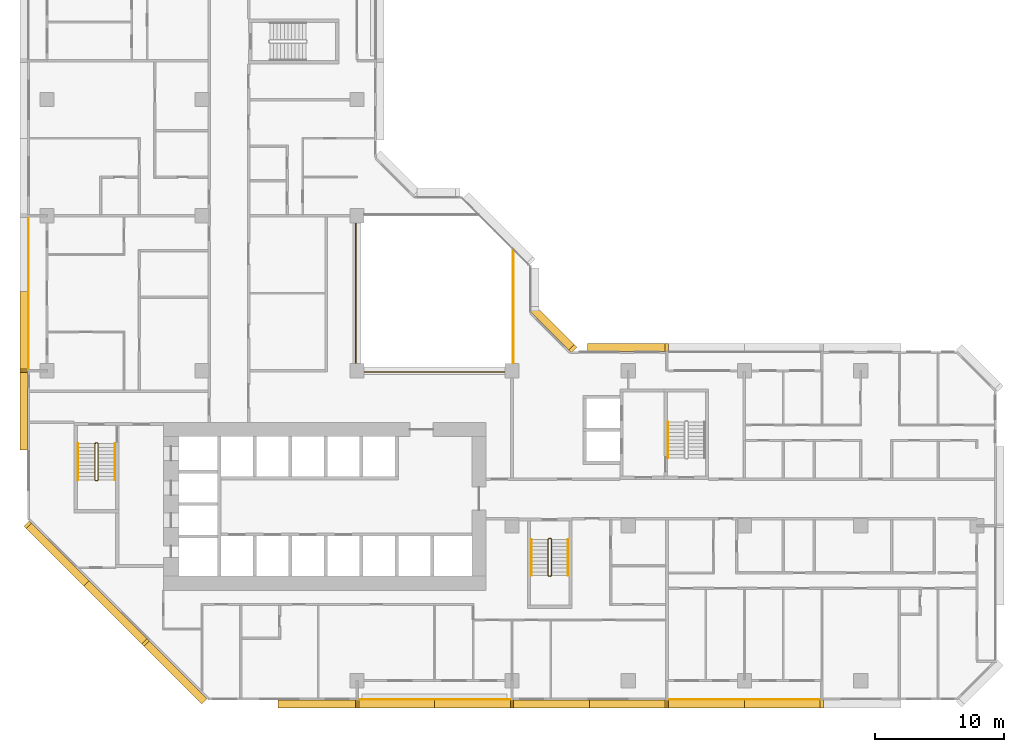
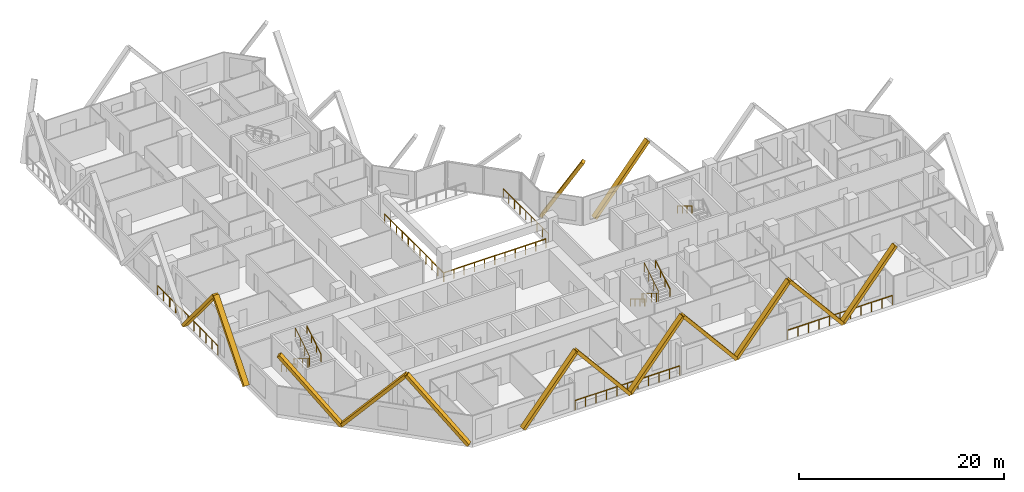
# One storey, part 15 of 16: 14 coverings, 12 railings.
"""IFC4 building model written with IfcOpenShell, lengths in metres."""

import ifcopenshell
import ifcopenshell.guid

model = None  # the IFC model being written
_history = None  # IfcOwnerHistory: only IFC2X3 demands one
_inside = {}  # id of a spatial element -> (the spatial element, [elements in it])
_under = {}  # id of a project, library or spatial element -> (it, [spatial elements below it])
_declared = {}  # id of a project -> (the project, [libraries it declares])
_typed = {}  # id of a type object -> (the type object, [elements of that type])
_made_of = {}  # id of a material, layer set ... -> (it, [elements and type objects made of it])


def new_model(schema):
    """Start an empty IFC model of exactly this schema.

    Asked for "IFC4X3", IfcOpenShell would pick the latest addendum, in which some entities
    have other attributes; the version numbers below select the first issue.
    IFC2X3 requires an IfcOwnerHistory on every rooted entity: one is made here for all.
    """
    global model, _history
    if schema == "IFC4X3":
        model = ifcopenshell.file(schema_version=(4, 3, 0, 0))
    else:
        model = ifcopenshell.file(schema=schema)
    _inside.clear()
    _under.clear()
    _declared.clear()
    _typed.clear()
    _made_of.clear()
    _history = None
    if model.schema == "IFC2X3":
        org = make("IfcOrganization", Name="unknown")
        user = make(
            "IfcPersonAndOrganization",
            ThePerson=make("IfcPerson", FamilyName="unknown"),
            TheOrganization=org,
        )
        app = make(
            "IfcApplication",
            ApplicationDeveloper=org,
            Version="unknown",
            ApplicationFullName="unknown",
            ApplicationIdentifier="unknown",
        )
        _history = make(
            "IfcOwnerHistory",
            OwningUser=user,
            OwningApplication=app,
            ChangeAction="ADDED",
            CreationDate=0,
        )
    return model


def make(cls, **values):
    """One entity of the class cls with the attributes given. An attribute that is None is left unset."""
    return model.create_entity(
        cls, **{name: value for name, value in values.items() if value is not None}
    )


def rooted(cls, **values):
    """An entity with a GlobalId (a new one), such as an element, a storey or a relation."""
    return make(cls, GlobalId=ifcopenshell.guid.new(), OwnerHistory=_history, **values)


def si_unit(unit_type, name, prefix=None):
    """IfcSIUnit, for example si_unit("LENGTHUNIT", "METRE", prefix="MILLI")."""
    return make("IfcSIUnit", UnitType=unit_type, Prefix=prefix, Name=name)


def assignment(units):
    """IfcUnitAssignment: the units of a project."""
    return None if units is None else make("IfcUnitAssignment", Units=units)


def point(xyz):
    """IfcCartesianPoint."""
    return None if xyz is None else make("IfcCartesianPoint", Coordinates=xyz)


def direction(xyz):
    """IfcDirection."""
    return None if xyz is None else make("IfcDirection", DirectionRatios=xyz)


def frame(location, z_axis=None, x_axis=None):
    """IfcAxis2Placement3D, a coordinate frame: its origin and axes. An axis left out is left unset."""
    return make(
        "IfcAxis2Placement3D",
        Location=point(location),
        Axis=direction(z_axis),
        RefDirection=direction(x_axis),
    )


def frame_2d(location, x_axis=None):
    """IfcAxis2Placement2D, a coordinate frame in the plane: its origin and x axis."""
    return make(
        "IfcAxis2Placement2D", Location=point(location), RefDirection=direction(x_axis)
    )


def origin():
    """The frame at (0, 0, 0) with its axes left unset."""
    return frame((0.0, 0.0, 0.0))


def origin_2d():
    """The frame at (0, 0) in the plane with its x axis left unset."""
    return frame_2d((0.0, 0.0))


def place(relative_to, where):
    """IfcLocalPlacement: puts the frame where relative to a parent placement (None: the world)."""
    return make(
        "IfcLocalPlacement", PlacementRelTo=relative_to, RelativePlacement=where
    )


def context(
    kind, dimensions, precision=None, world=None, true_north=None, identifier=None
):
    """IfcGeometricRepresentationContext, for example the 3D "Model" context."""
    return make(
        "IfcGeometricRepresentationContext",
        ContextIdentifier=identifier,
        ContextType=kind,
        CoordinateSpaceDimension=dimensions,
        Precision=precision,
        WorldCoordinateSystem=world,
        TrueNorth=true_north,
    )


def subcontext(parent, identifier, kind, view, scale=None):
    """IfcGeometricRepresentationSubContext, for example "Body" below "Model"."""
    return make(
        "IfcGeometricRepresentationSubContext",
        ContextIdentifier=identifier,
        ContextType=kind,
        ParentContext=parent,
        TargetScale=scale,
        TargetView=view,
    )


def project(units=None, contexts=None):
    """IfcProject with its units and contexts."""
    return rooted(
        "IfcProject",
        Name="project",
        RepresentationContexts=contexts,
        UnitsInContext=assignment(units),
    )


def spatial(cls, under=None, at=None, **own):
    """A site, building, storey or space (cls), placed at a placement, below another one or the project."""
    s = rooted(cls, ObjectPlacement=at, **own)
    if under is not None:
        _under.setdefault(under.id(), (under, []))[1].append(s)
    return s


def profile(cls, at=None, kind="AREA", **sizes):
    """A parametric profile (cls). Its sizes go by their IFC names, for example OverallWidth=200.0."""
    return make(cls, ProfileType=kind, Position=at, **sizes)


def rectangle(**sizes):
    """IfcRectangleProfileDef."""
    return profile("IfcRectangleProfileDef", **sizes)


def extrude(swept, where, along, depth):
    """IfcExtrudedAreaSolid: the profile swept, set in the frame where, extruded along a direction by depth."""
    return make(
        "IfcExtrudedAreaSolid",
        SweptArea=swept,
        Position=where,
        ExtrudedDirection=direction(along),
        Depth=depth,
    )


def shape(context_of_items, identifier, shape_type, items):
    """IfcShapeRepresentation: the items that make up one representation, for example the "Body"."""
    return make(
        "IfcShapeRepresentation",
        ContextOfItems=context_of_items,
        RepresentationIdentifier=identifier,
        RepresentationType=shape_type,
        Items=items,
    )


def material(Name=None, Category=None):
    """IfcMaterial."""
    return make("IfcMaterial", Name=Name, Category=Category)


def material_profile(
    of_material, cross_section, Name=None, Category=None, Priority=None
):
    """IfcMaterialProfile: a cross section and its material."""
    return make(
        "IfcMaterialProfile",
        Name=Name,
        Material=of_material,
        Profile=cross_section,
        Priority=Priority,
        Category=Category,
    )


def profile_set(profiles, Name=None, composite=None):
    """IfcMaterialProfileSet."""
    return make(
        "IfcMaterialProfileSet",
        Name=Name,
        MaterialProfiles=profiles,
        CompositeProfile=composite,
    )


def made_of(thing, what):
    """Note that an element or type object is made of a material, layer set ...; save() writes the relation."""
    if what is not None:
        _made_of.setdefault(what.id(), (what, []))[1].append(thing)
    return thing


def type_object(cls, material=None, **own):
    """A type object (cls), such as IfcWallType, which elements share."""
    return made_of(rooted(cls, **own), material)


def element(
    cls,
    number,
    at=None,
    inside=None,
    cuts=None,
    type_object=None,
    material=None,
    context=None,
    identifier="Body",
    shape_type=None,
    held_by="IfcProductDefinitionShape",
    body=None,
    shapes=None,
    **own,
):
    """One element of the class cls, such as IfcWall. Its Tag is "e" and its number.

    at: its placement. inside: the storey or other place that contains it. cuts: it is an
    opening in that element (IfcRelVoidsElement). A single representation is given by context,
    identifier, shape_type and body (its items); several are given by shapes. held_by: the class
    of the entity that holds the representations. save() writes the other relations.
    """
    e = rooted(cls, Tag="e%d" % number, ObjectPlacement=at, **own)
    if body is not None:
        shapes = [shape(context, identifier, shape_type, body)]
    if shapes is not None:
        e.Representation = make(held_by, Representations=shapes)
    if inside is not None:
        _inside.setdefault(inside.id(), (inside, []))[1].append(e)
    if cuts is not None:
        rooted(
            "IfcRelVoidsElement", RelatingBuildingElement=cuts, RelatedOpeningElement=e
        )
    if type_object is not None:
        _typed.setdefault(type_object.id(), (type_object, []))[1].append(e)
    return made_of(e, material)


def aggregate(whole, parts):
    """IfcRelAggregates: a whole, such as a stair, and the parts it consists of."""
    return rooted("IfcRelAggregates", RelatingObject=whole, RelatedObjects=parts)


def save(model, path):
    """Write the relations noted so far, then the file.

    IfcRelAggregates (storeys below a building ...), IfcRelContainedInSpatialStructure (elements
    in a storey), IfcRelDefinesByType, IfcRelAssociatesMaterial and IfcRelDeclares: one each for
    every whole, place, type object, material and project.
    """
    for whole, parts in _under.values():
        aggregate(whole, parts)
    for where, things in _inside.values():
        rooted(
            "IfcRelContainedInSpatialStructure",
            RelatedElements=things,
            RelatingStructure=where,
        )
    for kind, things in _typed.values():
        rooted("IfcRelDefinesByType", RelatedObjects=things, RelatingType=kind)
    for what, things in _made_of.values():
        rooted("IfcRelAssociatesMaterial", RelatedObjects=things, RelatingMaterial=what)
    for by, libraries in _declared.values():
        rooted("IfcRelDeclares", RelatingContext=by, RelatedDefinitions=libraries)
    model.write(path)


model = new_model("IFC4")

# Units and contexts
model_context = context("Model", 3, precision=1e-05, world=origin(), true_north=direction((0.0, 1.0)))
body_context = subcontext(model_context, "Body", "Model", "MODEL_VIEW")
ifc_project = project(units=[si_unit("LENGTHUNIT", "METRE"), si_unit("AREAUNIT", "SQUARE_METRE"), si_unit("VOLUMEUNIT", "CUBIC_METRE"), si_unit("PLANEANGLEUNIT", "RADIAN"), si_unit("MASSUNIT", "GRAM", prefix="KILO")], contexts=[model_context])

# Site, building, storey
site_placement = place(None, origin())
site = spatial("IfcSite", under=ifc_project, at=site_placement, CompositionType="ELEMENT")
building_placement = place(site_placement, origin())
building = spatial("IfcBuilding", under=site, at=building_placement, Name="Chenar Terraces", CompositionType="ELEMENT")
storey_placement = place(building_placement, frame((0.0, 0.0, 78.89990234375)))
storey = spatial("IfcBuildingStorey", under=building, at=storey_placement, Name="L17", CompositionType="ELEMENT", Elevation=78.89990234375)

# Railings
ifc_material_1 = material(Name="Powder-coated steel", Category="steel")
railing_type_1 = type_object("IfcRailingType", Name="Guard 1100 steel rail with glass infill", PredefinedType="GUARDRAIL", material=ifc_material_1)
railing_1_placement = place(storey_placement, frame((23.89990234375, 35.449951171875, 0.0)))
element("IfcRailing", 1, at=railing_1_placement, inside=storey, type_object=railing_type_1, Name="Guard L17-1", PredefinedType="GUARDRAIL", context=body_context, shape_type="SweptSolid", body=[
    extrude(rectangle(XDim=0.06005859375, YDim=0.06005859375, at=origin_2d()), frame((0.0, 0.0, 1.070068359375), z_axis=(0.0, -1.0, 0.0), x_axis=(1.0, 0.0, 0.0)), (0.0, 0.0, 1.0), 11.550048828125),
    extrude(rectangle(XDim=0.06005859375, YDim=0.06005859375, at=origin_2d()), frame((0.0, -11.550048828125, 1.070068359375), z_axis=(1.0, 0.0, 0.0), x_axis=(0.0, 1.0, 0.0)), (0.0, 0.0, 1.0), 11.550048828125),
    extrude(rectangle(XDim=0.050048828125, YDim=0.050048828125, at=origin_2d()), origin(), (0.0, 0.0, 1.0), 1.0400390625),
    extrude(rectangle(XDim=0.050048828125, YDim=0.050048828125, at=origin_2d()), frame((0.0, -1.155029296875, 0.0)), (0.0, 0.0, 1.0), 1.0400390625),
    extrude(rectangle(XDim=0.050048828125, YDim=0.050048828125, at=origin_2d()), frame((0.0, -2.31005859375, 0.0)), (0.0, 0.0, 1.0), 1.0400390625),
    extrude(rectangle(XDim=0.050048828125, YDim=0.050048828125, at=origin_2d()), frame((0.0, -3.465087890625, 0.0)), (0.0, 0.0, 1.0), 1.0400390625),
    extrude(rectangle(XDim=0.050048828125, YDim=0.050048828125, at=origin_2d()), frame((0.0, -4.6201171875, 0.0)), (0.0, 0.0, 1.0), 1.0400390625),
    extrude(rectangle(XDim=0.050048828125, YDim=0.050048828125, at=origin_2d()), frame((0.0, -5.77490234375, 0.0)), (0.0, 0.0, 1.0), 1.0400390625),
    extrude(rectangle(XDim=0.050048828125, YDim=0.050048828125, at=origin_2d()), frame((0.0, -6.929931640625, 0.0)), (0.0, 0.0, 1.0), 1.0400390625),
    extrude(rectangle(XDim=0.050048828125, YDim=0.050048828125, at=origin_2d()), frame((0.0, -8.0849609375, 0.0)), (0.0, 0.0, 1.0), 1.0400390625),
    extrude(rectangle(XDim=0.050048828125, YDim=0.050048828125, at=origin_2d()), frame((0.0, -9.239990234375, 0.0)), (0.0, 0.0, 1.0), 1.0400390625),
    extrude(rectangle(XDim=0.050048828125, YDim=0.050048828125, at=origin_2d()), frame((0.0, -10.39501953125, 0.0)), (0.0, 0.0, 1.0), 1.0400390625),
    extrude(rectangle(XDim=0.050048828125, YDim=0.050048828125, at=origin_2d()), frame((0.0, -11.550048828125, 0.0)), (0.0, 0.0, 1.0), 1.0400390625),
    extrude(rectangle(XDim=0.050048828125, YDim=0.050048828125, at=origin_2d()), frame((1.155029296875, -11.550048828125, 0.0)), (0.0, 0.0, 1.0), 1.0400390625),
    extrude(rectangle(XDim=0.050048828125, YDim=0.050048828125, at=origin_2d()), frame((2.31005859375, -11.550048828125, 0.0)), (0.0, 0.0, 1.0), 1.0400390625),
    extrude(rectangle(XDim=0.050048828125, YDim=0.050048828125, at=origin_2d()), frame((3.465087890625, -11.550048828125, 0.0)), (0.0, 0.0, 1.0), 1.0400390625),
    extrude(rectangle(XDim=0.050048828125, YDim=0.050048828125, at=origin_2d()), frame((4.6201171875, -11.550048828125, 0.0)), (0.0, 0.0, 1.0), 1.0400390625),
    extrude(rectangle(XDim=0.050048828125, YDim=0.050048828125, at=origin_2d()), frame((5.77490234375, -11.550048828125, 0.0)), (0.0, 0.0, 1.0), 1.0400390625),
    extrude(rectangle(XDim=0.050048828125, YDim=0.050048828125, at=origin_2d()), frame((6.929931640625, -11.550048828125, 0.0)), (0.0, 0.0, 1.0), 1.0400390625),
    extrude(rectangle(XDim=0.050048828125, YDim=0.050048828125, at=origin_2d()), frame((8.0849609375, -11.550048828125, 0.0)), (0.0, 0.0, 1.0), 1.0400390625),
    extrude(rectangle(XDim=0.050048828125, YDim=0.050048828125, at=origin_2d()), frame((9.239990234375, -11.550048828125, 0.0)), (0.0, 0.0, 1.0), 1.0400390625),
    extrude(rectangle(XDim=0.050048828125, YDim=0.050048828125, at=origin_2d()), frame((10.39501953125, -11.550048828125, 0.0)), (0.0, 0.0, 1.0), 1.0400390625),
    extrude(rectangle(XDim=0.050048828125, YDim=0.050048828125, at=origin_2d()), frame((11.550048828125, -11.550048828125, 0.0)), (0.0, 0.0, 1.0), 1.0400390625),
])
railing_2_placement = place(storey_placement, frame((36.10009765625, 24.60009765625, 0.0)))
element("IfcRailing", 2, at=railing_2_placement, inside=storey, type_object=railing_type_1, Name="Guard L17-3", PredefinedType="GUARDRAIL", context=body_context, shape_type="SweptSolid", body=[
    extrude(rectangle(XDim=0.06005859375, YDim=0.06005859375, at=origin_2d()), frame((0.0, 0.0, 1.070068359375), z_axis=(0.0, 1.0, 0.0), x_axis=(-1.0, 0.0, 0.0)), (0.0, 0.0, 1.0), 8.7998046875),
    extrude(rectangle(XDim=0.050048828125, YDim=0.050048828125, at=origin_2d()), origin(), (0.0, 0.0, 1.0), 1.0400390625),
    extrude(rectangle(XDim=0.050048828125, YDim=0.050048828125, at=origin_2d()), frame((0.0, 1.10009765625, 0.0)), (0.0, 0.0, 1.0), 1.0400390625),
    extrude(rectangle(XDim=0.050048828125, YDim=0.050048828125, at=origin_2d()), frame((0.0, 2.199951171875, 0.0)), (0.0, 0.0, 1.0), 1.0400390625),
    extrude(rectangle(XDim=0.050048828125, YDim=0.050048828125, at=origin_2d()), frame((0.0, 3.2998046875, 0.0)), (0.0, 0.0, 1.0), 1.0400390625),
    extrude(rectangle(XDim=0.050048828125, YDim=0.050048828125, at=origin_2d()), frame((0.0, 4.39990234375, 0.0)), (0.0, 0.0, 1.0), 1.0400390625),
    extrude(rectangle(XDim=0.050048828125, YDim=0.050048828125, at=origin_2d()), frame((0.0, 5.5, 0.0)), (0.0, 0.0, 1.0), 1.0400390625),
    extrude(rectangle(XDim=0.050048828125, YDim=0.050048828125, at=origin_2d()), frame((0.0, 6.599853515625, 0.0)), (0.0, 0.0, 1.0), 1.0400390625),
    extrude(rectangle(XDim=0.050048828125, YDim=0.050048828125, at=origin_2d()), frame((0.0, 7.69970703125, 0.0)), (0.0, 0.0, 1.0), 1.0400390625),
    extrude(rectangle(XDim=0.050048828125, YDim=0.050048828125, at=origin_2d()), frame((0.0, 8.7998046875, 0.0)), (0.0, 0.0, 1.0), 1.0400390625),
])
ifc_material_2 = material(Name="Stainless steel and glass", Category="steel")
railing_type_2 = type_object("IfcRailingType", Name="Loggia guard 1150", PredefinedType="GUARDRAIL", material=ifc_material_2)
railing_3_placement = place(storey_placement, frame((24.074951171875, -1.449951171875, 0.0)))
element("IfcRailing", 3, at=railing_3_placement, inside=storey, type_object=railing_type_2, Name="Loggia guard", PredefinedType="GUARDRAIL", context=body_context, shape_type="SweptSolid", body=[
    extrude(rectangle(XDim=0.048095703125, YDim=0.048095703125, at=origin_2d()), frame((0.0, 0.0, 1.1259765625), z_axis=(1.0, 0.0, 0.0), x_axis=(0.0, 1.0, 0.0)), (0.0, 0.0, 1.0), 11.85009765625),
    extrude(rectangle(XDim=0.0419921875, YDim=0.0419921875, at=origin_2d()), origin(), (0.0, 0.0, 1.0), 1.101806640625),
    extrude(rectangle(XDim=0.0419921875, YDim=0.0419921875, at=origin_2d()), frame((1.18505859375, 0.0, 0.0)), (0.0, 0.0, 1.0), 1.101806640625),
    extrude(rectangle(XDim=0.0419921875, YDim=0.0419921875, at=origin_2d()), frame((2.3701171875, 0.0, 0.0)), (0.0, 0.0, 1.0), 1.101806640625),
    extrude(rectangle(XDim=0.0419921875, YDim=0.0419921875, at=origin_2d()), frame((3.554931640625, 0.0, 0.0)), (0.0, 0.0, 1.0), 1.101806640625),
    extrude(rectangle(XDim=0.0419921875, YDim=0.0419921875, at=origin_2d()), frame((4.739990234375, 0.0, 0.0)), (0.0, 0.0, 1.0), 1.101806640625),
    extrude(rectangle(XDim=0.0419921875, YDim=0.0419921875, at=origin_2d()), frame((5.925048828125, 0.0, 0.0)), (0.0, 0.0, 1.0), 1.101806640625),
    extrude(rectangle(XDim=0.0419921875, YDim=0.0419921875, at=origin_2d()), frame((7.110107421875, 0.0, 0.0)), (0.0, 0.0, 1.0), 1.101806640625),
    extrude(rectangle(XDim=0.0419921875, YDim=0.0419921875, at=origin_2d()), frame((8.295166015625, 0.0, 0.0)), (0.0, 0.0, 1.0), 1.101806640625),
    extrude(rectangle(XDim=0.0419921875, YDim=0.0419921875, at=origin_2d()), frame((9.47998046875, 0.0, 0.0)), (0.0, 0.0, 1.0), 1.101806640625),
    extrude(rectangle(XDim=0.0419921875, YDim=0.0419921875, at=origin_2d()), frame((10.6650390625, 0.0, 0.0)), (0.0, 0.0, 1.0), 1.101806640625),
    extrude(rectangle(XDim=0.0419921875, YDim=0.0419921875, at=origin_2d()), frame((11.85009765625, 0.0, 0.0)), (0.0, 0.0, 1.0), 1.101806640625),
])
railing_4_placement = place(storey_placement, frame((48.074951171875, -1.449951171875, 0.0)))
element("IfcRailing", 4, at=railing_4_placement, inside=storey, type_object=railing_type_2, Name="Loggia guard", PredefinedType="GUARDRAIL", context=body_context, shape_type="SweptSolid", body=[
    extrude(rectangle(XDim=0.048095703125, YDim=0.048095703125, at=origin_2d()), frame((0.0, 0.0, 1.1259765625), z_axis=(1.0, 0.0, 0.0), x_axis=(0.0, 1.0, 0.0)), (0.0, 0.0, 1.0), 11.85009765625),
    extrude(rectangle(XDim=0.0419921875, YDim=0.0419921875, at=origin_2d()), origin(), (0.0, 0.0, 1.0), 1.101806640625),
    extrude(rectangle(XDim=0.0419921875, YDim=0.0419921875, at=origin_2d()), frame((1.18505859375, 0.0, 0.0)), (0.0, 0.0, 1.0), 1.101806640625),
    extrude(rectangle(XDim=0.0419921875, YDim=0.0419921875, at=origin_2d()), frame((2.3701171875, 0.0, 0.0)), (0.0, 0.0, 1.0), 1.101806640625),
    extrude(rectangle(XDim=0.0419921875, YDim=0.0419921875, at=origin_2d()), frame((3.554931640625, 0.0, 0.0)), (0.0, 0.0, 1.0), 1.101806640625),
    extrude(rectangle(XDim=0.0419921875, YDim=0.0419921875, at=origin_2d()), frame((4.739990234375, 0.0, 0.0)), (0.0, 0.0, 1.0), 1.101806640625),
    extrude(rectangle(XDim=0.0419921875, YDim=0.0419921875, at=origin_2d()), frame((5.925048828125, 0.0, 0.0)), (0.0, 0.0, 1.0), 1.101806640625),
    extrude(rectangle(XDim=0.0419921875, YDim=0.0419921875, at=origin_2d()), frame((7.110107421875, 0.0, 0.0)), (0.0, 0.0, 1.0), 1.101806640625),
    extrude(rectangle(XDim=0.0419921875, YDim=0.0419921875, at=origin_2d()), frame((8.295166015625, 0.0, 0.0)), (0.0, 0.0, 1.0), 1.101806640625),
    extrude(rectangle(XDim=0.0419921875, YDim=0.0419921875, at=origin_2d()), frame((9.47998046875, 0.0, 0.0)), (0.0, 0.0, 1.0), 1.101806640625),
    extrude(rectangle(XDim=0.0419921875, YDim=0.0419921875, at=origin_2d()), frame((10.6650390625, 0.0, 0.0)), (0.0, 0.0, 1.0), 1.101806640625),
    extrude(rectangle(XDim=0.0419921875, YDim=0.0419921875, at=origin_2d()), frame((11.85009765625, 0.0, 0.0)), (0.0, 0.0, 1.0), 1.101806640625),
])
railing_5_placement = place(storey_placement, frame((-1.449951171875, 35.925048828125, 0.0)))
element("IfcRailing", 5, at=railing_5_placement, inside=storey, type_object=railing_type_2, Name="Loggia guard", PredefinedType="GUARDRAIL", context=body_context, shape_type="SweptSolid", body=[
    extrude(rectangle(XDim=0.048095703125, YDim=0.048095703125, at=origin_2d()), frame((0.0, 0.0, 1.1259765625), z_axis=(0.0, -1.0, 0.0), x_axis=(1.0, 0.0, 0.0)), (0.0, 0.0, 1.0), 11.85009765625),
    extrude(rectangle(XDim=0.0419921875, YDim=0.0419921875, at=origin_2d()), origin(), (0.0, 0.0, 1.0), 1.101806640625),
    extrude(rectangle(XDim=0.0419921875, YDim=0.0419921875, at=origin_2d()), frame((0.0, -1.18505859375, 0.0)), (0.0, 0.0, 1.0), 1.101806640625),
    extrude(rectangle(XDim=0.0419921875, YDim=0.0419921875, at=origin_2d()), frame((0.0, -2.3701171875, 0.0)), (0.0, 0.0, 1.0), 1.101806640625),
    extrude(rectangle(XDim=0.0419921875, YDim=0.0419921875, at=origin_2d()), frame((0.0, -3.554931640625, 0.0)), (0.0, 0.0, 1.0), 1.101806640625),
    extrude(rectangle(XDim=0.0419921875, YDim=0.0419921875, at=origin_2d()), frame((0.0, -4.739990234375, 0.0)), (0.0, 0.0, 1.0), 1.101806640625),
    extrude(rectangle(XDim=0.0419921875, YDim=0.0419921875, at=origin_2d()), frame((0.0, -5.925048828125, 0.0)), (0.0, 0.0, 1.0), 1.101806640625),
    extrude(rectangle(XDim=0.0419921875, YDim=0.0419921875, at=origin_2d()), frame((0.0, -7.110107421875, 0.0)), (0.0, 0.0, 1.0), 1.101806640625),
    extrude(rectangle(XDim=0.0419921875, YDim=0.0419921875, at=origin_2d()), frame((0.0, -8.295166015625, 0.0)), (0.0, 0.0, 1.0), 1.101806640625),
    extrude(rectangle(XDim=0.0419921875, YDim=0.0419921875, at=origin_2d()), frame((0.0, -9.47998046875, 0.0)), (0.0, 0.0, 1.0), 1.101806640625),
    extrude(rectangle(XDim=0.0419921875, YDim=0.0419921875, at=origin_2d()), frame((0.0, -10.6650390625, 0.0)), (0.0, 0.0, 1.0), 1.101806640625),
    extrude(rectangle(XDim=0.0419921875, YDim=0.0419921875, at=origin_2d()), frame((0.0, -11.85009765625, 0.0)), (0.0, 0.0, 1.0), 1.101806640625),
])
ifc_material_3 = material(Name="Powder-coated steel", Category="steel")
railing_type_3 = type_object("IfcRailingType", Name="Stair guard 1100", PredefinedType="GUARDRAIL", material=ifc_material_3)
railing_6_placement = place(storey_placement, frame((3.949951171875, 18.35009765625, 3.75)))
element("IfcRailing", 6, at=railing_6_placement, inside=storey, type_object=railing_type_3, Name="L17 ST1 stair guard 1", PredefinedType="GUARDRAIL", context=body_context, shape_type="SweptSolid", body=[
    extrude(rectangle(XDim=0.048095703125, YDim=0.048095703125, at=origin_2d()), frame((0.0, 0.0, 1.076171875), z_axis=(0.0, -0.854202870247, -0.519939858505), x_axis=(1.0, 0.0, 0.0)), (0.0, 0.0, 1.0), 3.278076171875),
    extrude(rectangle(XDim=0.048095703125, YDim=0.048095703125, at=origin_2d()), frame((0.0, -2.800048828125, -0.62841796875), z_axis=(-0.270899902878, -0.270899902878, -0.923702595667), x_axis=(0.707106781187, -0.707106781187, 0.0)), (0.0, 0.0, 1.0), 0.184814453125),
    extrude(rectangle(XDim=0.048095703125, YDim=0.048095703125, at=origin_2d()), frame((-0.050048828125, -2.85009765625, -0.798828125), z_axis=(-1.0, 0.0, 0.0), x_axis=(0.0, -1.0, 0.0)), (0.0, 0.0, 1.0), 0.14990234375),
    extrude(rectangle(XDim=0.048095703125, YDim=0.048095703125, at=origin_2d()), frame((-0.199951171875, -2.85009765625, -0.798828125), z_axis=(-0.707106781187, 0.707106781187, 0.0), x_axis=(-0.707106781187, -0.707106781187, 0.0)), (0.0, 0.0, 1.0), 0.07080078125),
    extrude(rectangle(XDim=0.048095703125, YDim=0.048095703125, at=origin_2d()), frame((-0.25, -2.800048828125, -0.798828125), z_axis=(0.0, 0.854202870247, -0.519939858505), x_axis=(-1.0, 0.0, 0.0)), (0.0, 0.0, 1.0), 3.278076171875),
    extrude(rectangle(XDim=0.048095703125, YDim=0.048095703125, at=origin_2d()), frame((-0.25, 0.0, -2.50341796875), z_axis=(0.270996696079, 0.269674760976, -0.924032636873), x_axis=(-0.705375805398, 0.708833529934, 0.0)), (0.0, 0.0, 1.0), 0.1845703125),
    extrude(rectangle(XDim=0.048095703125, YDim=0.048095703125, at=origin_2d()), frame((-0.199951171875, 0.0498046875, -2.673828125), z_axis=(1.0, 0.0, 0.0), x_axis=(0.0, 1.0, 0.0)), (0.0, 0.0, 1.0), 0.14990234375),
    extrude(rectangle(XDim=0.0419921875, YDim=0.0419921875, at=origin_2d()), origin(), (0.0, 0.0, 1.0), 1.052001953125),
    extrude(rectangle(XDim=0.0419921875, YDim=0.0419921875, at=origin_2d()), frame((0.0, -0.933349609375, -0.568115234375)), (0.0, 0.0, 1.0), 1.052001953125),
    extrude(rectangle(XDim=0.0419921875, YDim=0.0419921875, at=origin_2d()), frame((0.0, -1.86669921875, -1.13623046875)), (0.0, 0.0, 1.0), 1.052001953125),
    extrude(rectangle(XDim=0.0419921875, YDim=0.0419921875, at=origin_2d()), frame((0.0, -2.800048828125, -1.704345703125)), (0.0, 0.0, 1.0), 1.052001953125),
    extrude(rectangle(XDim=0.0419921875, YDim=0.0419921875, at=origin_2d()), frame((-0.050048828125, -2.85009765625, -1.875)), (0.0, 0.0, 1.0), 1.052001953125),
    extrude(rectangle(XDim=0.0419921875, YDim=0.0419921875, at=origin_2d()), frame((-0.199951171875, -2.85009765625, -1.875)), (0.0, 0.0, 1.0), 1.052001953125),
    extrude(rectangle(XDim=0.0419921875, YDim=0.0419921875, at=origin_2d()), frame((-0.25, -2.800048828125, -1.875)), (0.0, 0.0, 1.0), 1.052001953125),
    extrude(rectangle(XDim=0.0419921875, YDim=0.0419921875, at=origin_2d()), frame((-0.25, -1.86669921875, -2.443115234375)), (0.0, 0.0, 1.0), 1.052001953125),
    extrude(rectangle(XDim=0.0419921875, YDim=0.0419921875, at=origin_2d()), frame((-0.25, -0.933349609375, -3.01123046875)), (0.0, 0.0, 1.0), 1.052001953125),
    extrude(rectangle(XDim=0.0419921875, YDim=0.0419921875, at=origin_2d()), frame((-0.25, 0.0, -3.579345703125)), (0.0, 0.0, 1.0), 1.052001953125),
    extrude(rectangle(XDim=0.0419921875, YDim=0.0419921875, at=origin_2d()), frame((-0.199951171875, 0.0498046875, -3.75)), (0.0, 0.0, 1.0), 1.052001953125),
    extrude(rectangle(XDim=0.0419921875, YDim=0.0419921875, at=origin_2d()), frame((-0.050048828125, 0.0498046875, -3.75)), (0.0, 0.0, 1.0), 1.052001953125),
])
railing_7_placement = place(storey_placement, frame((39.050048828125, 10.949951171875, 3.75)))
element("IfcRailing", 7, at=railing_7_placement, inside=storey, type_object=railing_type_3, Name="L17 ST2 stair guard 1", PredefinedType="GUARDRAIL", context=body_context, shape_type="SweptSolid", body=[
    extrude(rectangle(XDim=0.048095703125, YDim=0.048095703125, at=origin_2d()), frame((0.0, 0.0, 1.076171875), z_axis=(0.0, -0.854202870247, -0.519939858505), x_axis=(1.0, 0.0, 0.0)), (0.0, 0.0, 1.0), 3.278076171875),
    extrude(rectangle(XDim=0.048095703125, YDim=0.048095703125, at=origin_2d()), frame((0.0, -2.800048828125, -0.62841796875), z_axis=(-0.270996696079, -0.269674760976, -0.924032636873), x_axis=(0.705375805398, -0.708833529934, 0.0)), (0.0, 0.0, 1.0), 0.1845703125),
    extrude(rectangle(XDim=0.048095703125, YDim=0.048095703125, at=origin_2d()), frame((-0.050048828125, -2.849853515625, -0.798828125), z_axis=(-1.0, 0.0, 0.0), x_axis=(0.0, -1.0, 0.0)), (0.0, 0.0, 1.0), 0.14990234375),
    extrude(rectangle(XDim=0.048095703125, YDim=0.048095703125, at=origin_2d()), frame((-0.199951171875, -2.849853515625, -0.798828125), z_axis=(-0.708833529934, 0.705375805398, 0.0), x_axis=(-0.705375805398, -0.708833529934, 0.0)), (0.0, 0.0, 1.0), 0.070556640625),
    extrude(rectangle(XDim=0.048095703125, YDim=0.048095703125, at=origin_2d()), frame((-0.25, -2.800048828125, -0.798828125), z_axis=(0.0, 0.854202870247, -0.519939858505), x_axis=(-1.0, 0.0, 0.0)), (0.0, 0.0, 1.0), 3.278076171875),
    extrude(rectangle(XDim=0.048095703125, YDim=0.048095703125, at=origin_2d()), frame((-0.25, 0.0, -2.50341796875), z_axis=(0.270899902878, 0.270899902878, -0.923702595667), x_axis=(-0.707106781187, 0.707106781187, 0.0)), (0.0, 0.0, 1.0), 0.184814453125),
    extrude(rectangle(XDim=0.048095703125, YDim=0.048095703125, at=origin_2d()), frame((-0.199951171875, 0.050048828125, -2.673828125), z_axis=(1.0, 0.0, 0.0), x_axis=(0.0, 1.0, 0.0)), (0.0, 0.0, 1.0), 0.14990234375),
    extrude(rectangle(XDim=0.0419921875, YDim=0.0419921875, at=origin_2d()), origin(), (0.0, 0.0, 1.0), 1.052001953125),
    extrude(rectangle(XDim=0.0419921875, YDim=0.0419921875, at=origin_2d()), frame((0.0, -0.933349609375, -0.568115234375)), (0.0, 0.0, 1.0), 1.052001953125),
    extrude(rectangle(XDim=0.0419921875, YDim=0.0419921875, at=origin_2d()), frame((0.0, -1.86669921875, -1.13623046875)), (0.0, 0.0, 1.0), 1.052001953125),
    extrude(rectangle(XDim=0.0419921875, YDim=0.0419921875, at=origin_2d()), frame((0.0, -2.800048828125, -1.704345703125)), (0.0, 0.0, 1.0), 1.052001953125),
    extrude(rectangle(XDim=0.0419921875, YDim=0.0419921875, at=origin_2d()), frame((-0.050048828125, -2.849853515625, -1.875)), (0.0, 0.0, 1.0), 1.052001953125),
    extrude(rectangle(XDim=0.0419921875, YDim=0.0419921875, at=origin_2d()), frame((-0.199951171875, -2.849853515625, -1.875)), (0.0, 0.0, 1.0), 1.052001953125),
    extrude(rectangle(XDim=0.0419921875, YDim=0.0419921875, at=origin_2d()), frame((-0.25, -2.800048828125, -1.875)), (0.0, 0.0, 1.0), 1.052001953125),
    extrude(rectangle(XDim=0.0419921875, YDim=0.0419921875, at=origin_2d()), frame((-0.25, -1.86669921875, -2.443115234375)), (0.0, 0.0, 1.0), 1.052001953125),
    extrude(rectangle(XDim=0.0419921875, YDim=0.0419921875, at=origin_2d()), frame((-0.25, -0.933349609375, -3.01123046875)), (0.0, 0.0, 1.0), 1.052001953125),
    extrude(rectangle(XDim=0.0419921875, YDim=0.0419921875, at=origin_2d()), frame((-0.25, 0.0, -3.579345703125)), (0.0, 0.0, 1.0), 1.052001953125),
    extrude(rectangle(XDim=0.0419921875, YDim=0.0419921875, at=origin_2d()), frame((-0.199951171875, 0.050048828125, -3.75)), (0.0, 0.0, 1.0), 1.052001953125),
    extrude(rectangle(XDim=0.0419921875, YDim=0.0419921875, at=origin_2d()), frame((-0.050048828125, 0.050048828125, -3.75)), (0.0, 0.0, 1.0), 1.052001953125),
])
ifc_material_4 = material(Name="Powder-coated steel", Category="steel")
railing_type_4 = type_object("IfcRailingType", Name="Stair handrail 900", PredefinedType="HANDRAIL", material=ifc_material_4)
railing_8_placement = place(storey_placement, frame((2.39990234375, 18.35009765625, 0.170654296875)))
element("IfcRailing", 8, at=railing_8_placement, inside=storey, type_object=railing_type_4, Name="L17 ST1 stair handrail 1", PredefinedType="HANDRAIL", context=body_context, shape_type="SweptSolid", body=[
    extrude(rectangle(XDim=0.048095703125, YDim=0.048095703125, at=origin_2d()), frame((0.0, 0.0, 0.8759765625), z_axis=(0.0, -0.854202870247, 0.519939858505), x_axis=(1.0, 0.0, 0.0)), (0.0, 0.0, 1.0), 3.278076171875),
    extrude(rectangle(XDim=0.0419921875, YDim=0.0419921875, at=origin_2d()), origin(), (0.0, 0.0, 1.0), 0.851806640625),
    extrude(rectangle(XDim=0.0419921875, YDim=0.0419921875, at=origin_2d()), frame((0.0, -0.933349609375, 0.568115234375)), (0.0, 0.0, 1.0), 0.851806640625),
    extrude(rectangle(XDim=0.0419921875, YDim=0.0419921875, at=origin_2d()), frame((0.0, -1.86669921875, 1.13623046875)), (0.0, 0.0, 1.0), 0.851806640625),
    extrude(rectangle(XDim=0.0419921875, YDim=0.0419921875, at=origin_2d()), frame((0.0, -2.800048828125, 1.704345703125)), (0.0, 0.0, 1.0), 0.851806640625),
])
railing_9_placement = place(storey_placement, frame((5.25, 15.550048828125, 2.045654296875)))
element("IfcRailing", 9, at=railing_9_placement, inside=storey, type_object=railing_type_4, Name="L17 ST1 stair handrail 2", PredefinedType="HANDRAIL", context=body_context, shape_type="SweptSolid", body=[
    extrude(rectangle(XDim=0.048095703125, YDim=0.048095703125, at=origin_2d()), frame((0.0, 0.0, 0.8759765625), z_axis=(0.0, 0.854202870247, 0.519939858505), x_axis=(-1.0, 0.0, 0.0)), (0.0, 0.0, 1.0), 3.278076171875),
    extrude(rectangle(XDim=0.0419921875, YDim=0.0419921875, at=origin_2d()), origin(), (0.0, 0.0, 1.0), 0.851806640625),
    extrude(rectangle(XDim=0.0419921875, YDim=0.0419921875, at=origin_2d()), frame((0.0, 0.933349609375, 0.568115234375)), (0.0, 0.0, 1.0), 0.851806640625),
    extrude(rectangle(XDim=0.0419921875, YDim=0.0419921875, at=origin_2d()), frame((0.0, 1.86669921875, 1.13623046875)), (0.0, 0.0, 1.0), 0.851806640625),
    extrude(rectangle(XDim=0.0419921875, YDim=0.0419921875, at=origin_2d()), frame((0.0, 2.800048828125, 1.704345703125)), (0.0, 0.0, 1.0), 0.851806640625),
])
railing_10_placement = place(storey_placement, frame((37.5, 10.949951171875, 0.170654296875)))
element("IfcRailing", 10, at=railing_10_placement, inside=storey, type_object=railing_type_4, Name="L17 ST2 stair handrail 1", PredefinedType="HANDRAIL", context=body_context, shape_type="SweptSolid", body=[
    extrude(rectangle(XDim=0.048095703125, YDim=0.048095703125, at=origin_2d()), frame((0.0, 0.0, 0.8759765625), z_axis=(0.0, -0.854202870247, 0.519939858505), x_axis=(1.0, 0.0, 0.0)), (0.0, 0.0, 1.0), 3.278076171875),
    extrude(rectangle(XDim=0.0419921875, YDim=0.0419921875, at=origin_2d()), origin(), (0.0, 0.0, 1.0), 0.851806640625),
    extrude(rectangle(XDim=0.0419921875, YDim=0.0419921875, at=origin_2d()), frame((0.0, -0.933349609375, 0.568115234375)), (0.0, 0.0, 1.0), 0.851806640625),
    extrude(rectangle(XDim=0.0419921875, YDim=0.0419921875, at=origin_2d()), frame((0.0, -1.86669921875, 1.13623046875)), (0.0, 0.0, 1.0), 0.851806640625),
    extrude(rectangle(XDim=0.0419921875, YDim=0.0419921875, at=origin_2d()), frame((0.0, -2.800048828125, 1.704345703125)), (0.0, 0.0, 1.0), 0.851806640625),
])
railing_11_placement = place(storey_placement, frame((40.35009765625, 8.14990234375, 2.045654296875)))
element("IfcRailing", 11, at=railing_11_placement, inside=storey, type_object=railing_type_4, Name="L17 ST2 stair handrail 2", PredefinedType="HANDRAIL", context=body_context, shape_type="SweptSolid", body=[
    extrude(rectangle(XDim=0.048095703125, YDim=0.048095703125, at=origin_2d()), frame((0.0, 0.0, 0.8759765625), z_axis=(0.0, 0.854202870247, 0.519939858505), x_axis=(-1.0, 0.0, 0.0)), (0.0, 0.0, 1.0), 3.278076171875),
    extrude(rectangle(XDim=0.0419921875, YDim=0.0419921875, at=origin_2d()), origin(), (0.0, 0.0, 1.0), 0.851806640625),
    extrude(rectangle(XDim=0.0419921875, YDim=0.0419921875, at=origin_2d()), frame((0.0, 0.933349609375, 0.568115234375)), (0.0, 0.0, 1.0), 0.851806640625),
    extrude(rectangle(XDim=0.0419921875, YDim=0.0419921875, at=origin_2d()), frame((0.0, 1.86669921875, 1.13623046875)), (0.0, 0.0, 1.0), 0.851806640625),
    extrude(rectangle(XDim=0.0419921875, YDim=0.0419921875, at=origin_2d()), frame((0.0, 2.800048828125, 1.704345703125)), (0.0, 0.0, 1.0), 0.851806640625),
])
railing_12_placement = place(storey_placement, frame((48.074951171875, 20.050048828125, 2.045654296875)))
element("IfcRailing", 12, at=railing_12_placement, inside=storey, type_object=railing_type_4, Name="L17 ST3 stair handrail 2", PredefinedType="HANDRAIL", context=body_context, shape_type="SweptSolid", body=[
    extrude(rectangle(XDim=0.048095703125, YDim=0.048095703125, at=origin_2d()), frame((0.0, 0.0, 0.8759765625), z_axis=(0.0, -0.854202870247, 0.519939858505), x_axis=(1.0, 0.0, 0.0)), (0.0, 0.0, 1.0), 3.278076171875),
    extrude(rectangle(XDim=0.0419921875, YDim=0.0419921875, at=origin_2d()), origin(), (0.0, 0.0, 1.0), 0.851806640625),
    extrude(rectangle(XDim=0.0419921875, YDim=0.0419921875, at=origin_2d()), frame((0.0, -0.933349609375, 0.568115234375)), (0.0, 0.0, 1.0), 0.851806640625),
    extrude(rectangle(XDim=0.0419921875, YDim=0.0419921875, at=origin_2d()), frame((0.0, -1.86669921875, 1.13623046875)), (0.0, 0.0, 1.0), 0.851806640625),
    extrude(rectangle(XDim=0.0419921875, YDim=0.0419921875, at=origin_2d()), frame((0.0, -2.800048828125, 1.704345703125)), (0.0, 0.0, 1.0), 0.851806640625),
])

# Coverings
ifc_material_5 = material(Name="Terracotta", Category="masonry")
ifc_material_profile = material_profile(ifc_material_5, rectangle(XDim=0.60009765625, YDim=0.35009765625, at=origin_2d()), Name="Terracotta baguette 600 x 350")
ifc_profile_set = profile_set([ifc_material_profile], Name="Terracotta")
covering_type = type_object("IfcCoveringType", Name="Terracotta baguette 600 x 350", PredefinedType="CLADDING", material=ifc_profile_set)
covering_1_placement = place(storey_placement, frame((48.0, 25.800048828125, 7.35009765625), z_axis=(-0.640186961885, 0.0, -0.768219144407), x_axis=(0.0, -1.0, 0.0)))
element("IfcCovering", 13, at=covering_1_placement, inside=storey, type_object=covering_type, Name="Terracotta baguette", PredefinedType="CLADDING", context=body_context, shape_type="SweptSolid", body=[
    extrude(rectangle(XDim=0.60009765625, YDim=0.35009765625, at=origin_2d()), origin(), (0.0, 0.0, 1.0), 9.372314453125),
])
covering_2_placement = place(storey_placement, frame((40.712158203125, 25.712158203125, 7.35009765625), z_axis=(-0.358980886355, 0.358980886355, -0.861548284464), x_axis=(-0.707106781187, -0.707106781187, 0.0)))
element("IfcCovering", 14, at=covering_2_placement, inside=storey, type_object=covering_type, Name="Terracotta baguette", PredefinedType="CLADDING", context=body_context, shape_type="SweptSolid", body=[
    extrude(rectangle(XDim=0.60009765625, YDim=0.35009765625, at=origin_2d()), origin(), (0.0, 0.0, 1.0), 8.35693359375),
])
for number, where, z_axis, x_axis, name in (
    (15, (-1.800048828125, 30.0, 0.150146484375), (0.0, -0.640186961885, 0.768219144407), (1.0, 0.0, 0.0), "Terracotta baguette"),
    (16, (-1.800048828125, 24.0, 7.35009765625), (0.0, -0.640186961885, -0.768219144407), (1.0, 0.0, 0.0), "Terracotta baguette"),
):
    element("IfcCovering", number, at=place(storey_placement, frame(where, z_axis=z_axis, x_axis=x_axis)), inside=storey, type_object=covering_type, Name=name, PredefinedType="CLADDING", context=body_context, shape_type="SweptSolid", body=[
        extrude(rectangle(XDim=0.60009765625, YDim=0.35009765625, at=origin_2d()), origin(), (0.0, 0.0, 1.0), 9.372314453125),
    ])
covering_3_placement = place(storey_placement, frame((-1.5, 12.07568359375, 7.35009765625), z_axis=(0.465624035565, -0.465624035565, -0.752587878595), x_axis=(0.707106781187, 0.707106781187, 0.0)))
element("IfcCovering", 17, at=covering_3_placement, inside=storey, type_object=covering_type, Name="Terracotta baguette", PredefinedType="CLADDING", context=body_context, shape_type="SweptSolid", body=[
    extrude(rectangle(XDim=0.60009765625, YDim=0.35009765625, at=origin_2d()), origin(), (0.0, 0.0, 1.0), 9.56689453125),
])
covering_4_placement = place(storey_placement, frame((2.95458984375, 7.62109375, 0.150146484375), z_axis=(0.477788925607, -0.477788925607, 0.737180768289), x_axis=(0.707106781187, 0.707106781187, 0.0)))
element("IfcCovering", 18, at=covering_4_placement, inside=storey, type_object=covering_type, Name="Terracotta baguette", PredefinedType="CLADDING", context=body_context, shape_type="SweptSolid", body=[
    extrude(rectangle(XDim=0.60009765625, YDim=0.35009765625, at=origin_2d()), origin(), (0.0, 0.0, 1.0), 9.766845703125),
])
covering_5_placement = place(storey_placement, frame((7.62109375, 2.95458984375, 7.35009765625), z_axis=(0.465624035565, -0.465624035565, -0.752587878595), x_axis=(0.707106781187, 0.707106781187, 0.0)))
element("IfcCovering", 19, at=covering_5_placement, inside=storey, type_object=covering_type, Name="Terracotta baguette", PredefinedType="CLADDING", context=body_context, shape_type="SweptSolid", body=[
    extrude(rectangle(XDim=0.60009765625, YDim=0.35009765625, at=origin_2d()), origin(), (0.0, 0.0, 1.0), 9.56689453125),
])
for number, where, z_axis, x_axis, name in (
    (20, (18.0, -1.800048828125, 0.150146484375), (0.640186961885, 0.0, 0.768219144407), (0.0, 1.0, 0.0), "Terracotta baguette"),
    (21, (24.0, -1.800048828125, 7.35009765625), (0.640186961885, 0.0, -0.768219144407), (0.0, 1.0, 0.0), "Terracotta baguette"),
    (22, (30.0, -1.800048828125, 0.150146484375), (0.640186961885, 0.0, 0.768219144407), (0.0, 1.0, 0.0), "Terracotta baguette"),
    (23, (36.0, -1.800048828125, 7.35009765625), (0.640186961885, 0.0, -0.768219144407), (0.0, 1.0, 0.0), "Terracotta baguette"),
    (24, (42.0, -1.800048828125, 0.150146484375), (0.640186961885, 0.0, 0.768219144407), (0.0, 1.0, 0.0), "Terracotta baguette"),
    (25, (48.0, -1.800048828125, 7.35009765625), (0.640186961885, 0.0, -0.768219144407), (0.0, 1.0, 0.0), "Terracotta baguette"),
    (26, (54.0, -1.800048828125, 0.150146484375), (0.640186961885, 0.0, 0.768219144407), (0.0, 1.0, 0.0), "Terracotta baguette"),
):
    element("IfcCovering", number, at=place(storey_placement, frame(where, z_axis=z_axis, x_axis=x_axis)), inside=storey, type_object=covering_type, Name=name, PredefinedType="CLADDING", context=body_context, shape_type="SweptSolid", body=[
        extrude(rectangle(XDim=0.60009765625, YDim=0.35009765625, at=origin_2d()), origin(), (0.0, 0.0, 1.0), 9.372314453125),
    ])

save(model, "model.ifc")
